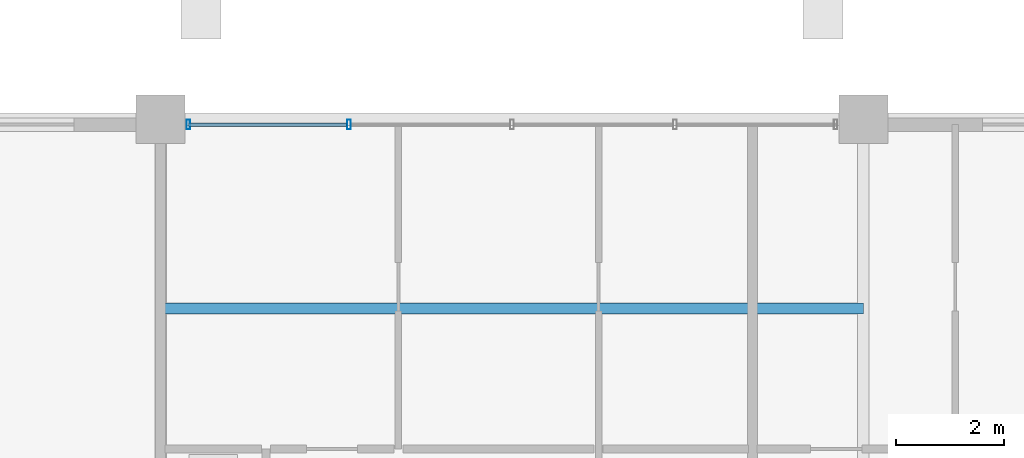
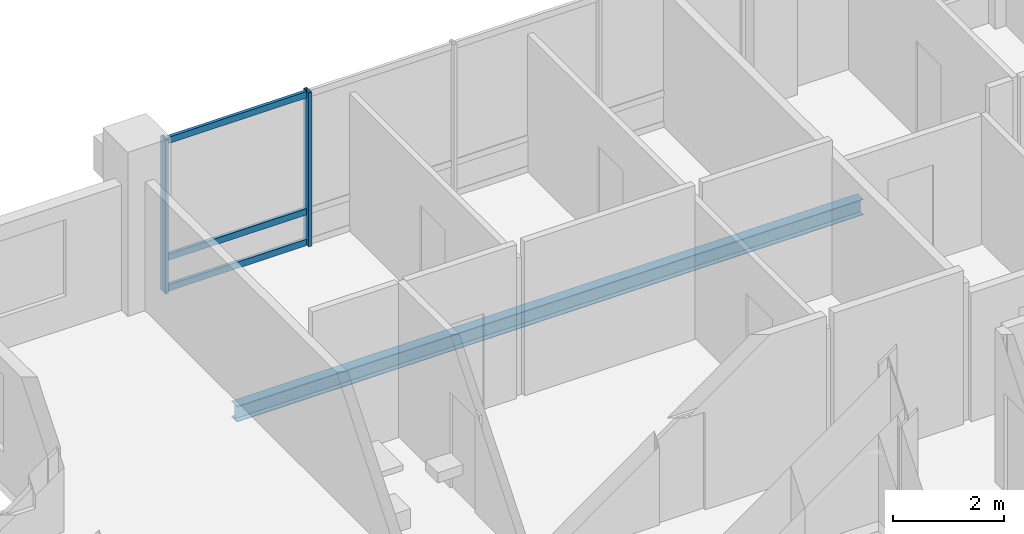
# One storey, part 12 of 21: 5 members, 1 beam, 1 element without a shape of its own.
"""IFC4 building model written with IfcOpenShell, lengths in metres."""

from ifc_helpers import new_model, si_unit, direction, frame, origin, origin_2d, place, context, subcontext, project, spatial, hollow_rectangle, i_section, extrude, material, layer, layer_set, material_profile, profile_set, type_object, element, aggregate, save


model = new_model("IFC4")

# Units and contexts
model_context = context("Model", 3, precision=1e-05, world=origin(), true_north=direction((0.0, 1.0)))
body_context = subcontext(model_context, "Body", "Model", "MODEL_VIEW")
ifc_project = project(units=[si_unit("LENGTHUNIT", "METRE"), si_unit("AREAUNIT", "SQUARE_METRE"), si_unit("VOLUMEUNIT", "CUBIC_METRE"), si_unit("PLANEANGLEUNIT", "RADIAN"), si_unit("MASSUNIT", "GRAM", prefix="KILO")], contexts=[model_context])

# Site, building, storey
site_placement = place(None, origin())
site = spatial("IfcSite", under=ifc_project, at=site_placement, CompositionType="ELEMENT")
building_placement = place(site_placement, origin())
building = spatial("IfcBuilding", under=site, at=building_placement, Name="Barlavira Tower and Art Museum", CompositionType="ELEMENT")
storey_placement = place(building_placement, frame((0.0, 0.0, 254.699951171875)))
storey = spatial("IfcBuildingStorey", under=building, at=storey_placement, Name="L66", CompositionType="ELEMENT", Elevation=254.699951171875)

# Curtain wall, members
ifc_material_1 = material(Name="Low-iron coastal laminated glass", Category="glass")
ifc_layer = layer(ifc_material_1, 0.2099609375, Name="Low-iron coastal laminated glass")
ifc_layer_set = layer_set([ifc_layer], Name="Low-iron coastal laminated glass")
curtain_wall_type = type_object("IfcCurtainWallType", Name="Pale-Metal Unitised Curtain Wall Zone 4", PredefinedType="NOTDEFINED", material=ifc_layer_set)
curtain_wall_placement = place(storey_placement, origin())
curtain_wall = element("IfcCurtainWall", 1, at=curtain_wall_placement, inside=storey, type_object=curtain_wall_type, Name="L66 Curtain Wall CW4-L66-N-B2", PredefinedType="NOTDEFINED")
ifc_material_2 = material(Name="Pale anodised aluminium", Category="aluminium")
ifc_material_profile_1 = material_profile(ifc_material_2, hollow_rectangle(XDim=0.06494140625, YDim=0.179931640625, WallThickness=0.00390625, at=origin_2d()), Name="ALU-MULL 65x180x4")
ifc_profile_set_1 = profile_set([ifc_material_profile_1], Name="Pale anodised aluminium")
member_type_1 = type_object("IfcMemberType", Name="Curtain Wall Pale-Metal Mullion 65x180", PredefinedType="MULLION", material=ifc_profile_set_1)
member_1_placement = place(storey_placement, frame((-3.014892578125, 19.89990234375, 0.0), z_axis=(0.0, 0.0, 1.0), x_axis=(-1.0, 0.0, 0.0)))
member_1 = element("IfcMember", 2, at=member_1_placement, type_object=member_type_1, Name="CW4-L66-N-B2 Mullion 3", PredefinedType="MULLION", context=body_context, shape_type="SweptSolid", body=[
    extrude(hollow_rectangle(XDim=0.06494140625, YDim=0.179931640625, WallThickness=0.00390625, at=origin_2d()), origin(), (0.0, 0.0, 1.0), 3.380126953125),
])
member_2_placement = place(storey_placement, frame((-5.985107421875, 19.89990234375, 0.0), z_axis=(0.0, 0.0, 1.0), x_axis=(-1.0, 0.0, 0.0)))
member_2 = element("IfcMember", 3, at=member_2_placement, type_object=member_type_1, Name="CW4-L66-N-B2 Mullion 4", PredefinedType="MULLION", context=body_context, shape_type="SweptSolid", body=[
    extrude(hollow_rectangle(XDim=0.06494140625, YDim=0.179931640625, WallThickness=0.00390625, at=origin_2d()), origin(), (0.0, 0.0, 1.0), 3.380126953125),
])
ifc_material_profile_2 = material_profile(ifc_material_2, hollow_rectangle(XDim=0.06494140625, YDim=0.139892578125, WallThickness=0.00390625, at=origin_2d()), Name="ALU-TRAN 65x140x4")
ifc_profile_set_2 = profile_set([ifc_material_profile_2], Name="Pale anodised aluminium")
member_type_2 = type_object("IfcMemberType", Name="Curtain Wall Pale-Metal Transom 65x140", PredefinedType="USERDEFINED", material=ifc_profile_set_2)
member_3_placement = place(storey_placement, frame((-3.06005859375, 19.89990234375, 0.070068359375), z_axis=(-1.0, 0.0, 0.0), x_axis=(0.0, -1.0, 0.0)))
member_3 = element("IfcMember", 4, at=member_3_placement, type_object=member_type_2, Name="CW4-L66-N-B2 Transom 3.1", ObjectType="TRANSOM", PredefinedType="USERDEFINED", context=body_context, shape_type="SweptSolid", body=[
    extrude(hollow_rectangle(XDim=0.06494140625, YDim=0.139892578125, WallThickness=0.00390625, at=origin_2d()), origin(), (0.0, 0.0, 1.0), 2.925048828125),
])
member_4_placement = place(storey_placement, frame((-3.06005859375, 19.89990234375, 0.744140625), z_axis=(-1.0, 0.0, 0.0), x_axis=(0.0, -1.0, 0.0)))
member_4 = element("IfcMember", 5, at=member_4_placement, type_object=member_type_2, Name="CW4-L66-N-B2 Transom 3.2", ObjectType="TRANSOM", PredefinedType="USERDEFINED", context=body_context, shape_type="SweptSolid", body=[
    extrude(hollow_rectangle(XDim=0.06494140625, YDim=0.139892578125, WallThickness=0.00390625, at=origin_2d()), origin(), (0.0, 0.0, 1.0), 2.925048828125),
])
member_5_placement = place(storey_placement, frame((-3.06005859375, 19.89990234375, 3.31005859375), z_axis=(-1.0, 0.0, 0.0), x_axis=(0.0, -1.0, 0.0)))
member_5 = element("IfcMember", 6, at=member_5_placement, type_object=member_type_2, Name="CW4-L66-N-B2 Transom 3.3", ObjectType="TRANSOM", PredefinedType="USERDEFINED", context=body_context, shape_type="SweptSolid", body=[
    extrude(hollow_rectangle(XDim=0.06494140625, YDim=0.139892578125, WallThickness=0.00390625, at=origin_2d()), origin(), (0.0, 0.0, 1.0), 2.925048828125),
])
aggregate(curtain_wall, [member_1, member_2, member_3, member_4, member_5])

# Beam
ifc_material_3 = material(Name="Steel S355", Category="steel")
ifc_material_profile_3 = material_profile(ifc_material_3, i_section(OverallWidth=0.202880859375, OverallDepth=0.346923828125, WebThickness=0.0078125, FlangeThickness=0.013427734375, at=origin_2d()), Name="W360x64.0")
ifc_profile_set_3 = profile_set([ifc_material_profile_3], Name="Steel S355")
beam_type = type_object("IfcBeamType", Name="Zone 4 Composite Floor Joist W360x64 Steel S355", PredefinedType="JOIST", material=ifc_profile_set_3)
beam_placement = place(storey_placement, frame((-6.5, 16.5, -0.3935546875), z_axis=(1.0, 0.0, 0.0), x_axis=(0.0, 1.0, 0.0)))
element("IfcBeam", 7, at=beam_placement, inside=storey, type_object=beam_type, Name="L66 Joist C2", PredefinedType="JOIST", context=body_context, shape_type="SweptSolid", body=[
    extrude(i_section(OverallWidth=0.202880859375, OverallDepth=0.346923828125, WebThickness=0.0078125, FlangeThickness=0.013427734375, at=origin_2d()), origin(), (0.0, 0.0, 1.0), 13.0),
])

save(model, "model.ifc")
